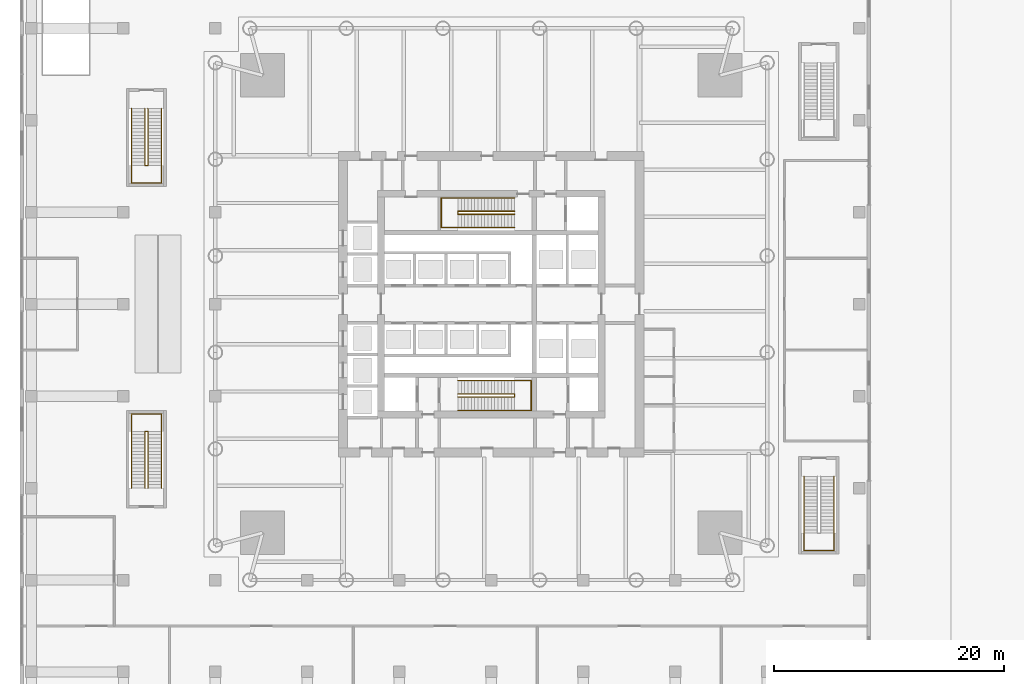
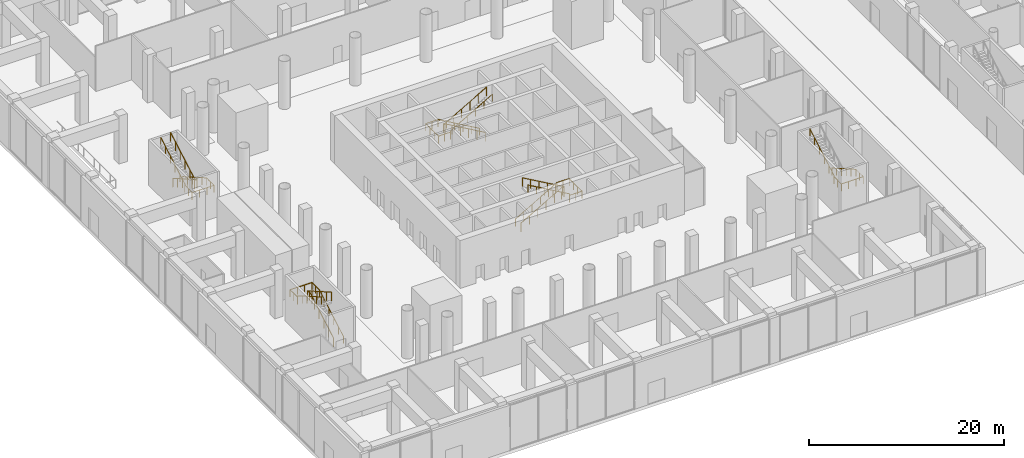
# One storey, part 36 of 39: 9 railings.
"""IFC4 building model written with IfcOpenShell, lengths in metres."""

from ifc_helpers import new_model, si_unit, direction, frame, origin, origin_2d, place, context, subcontext, project, spatial, circle, extrude, material, type_object, element, save


model = new_model("IFC4")

# Units and contexts
model_context = context("Model", 3, precision=1e-05, world=origin(), true_north=direction((0.0, 1.0)))
body_context = subcontext(model_context, "Body", "Model", "MODEL_VIEW")
ifc_project = project(units=[si_unit("LENGTHUNIT", "METRE"), si_unit("AREAUNIT", "SQUARE_METRE"), si_unit("VOLUMEUNIT", "CUBIC_METRE"), si_unit("PLANEANGLEUNIT", "RADIAN"), si_unit("MASSUNIT", "GRAM", prefix="KILO")], contexts=[model_context])

# Site, building, storey
site_placement = place(None, origin())
site = spatial("IfcSite", under=ifc_project, at=site_placement, CompositionType="ELEMENT")
building_placement = place(site_placement, origin())
building = spatial("IfcBuilding", under=site, at=building_placement, Name="Ostroluk Exchange", CompositionType="ELEMENT")
storey_placement = place(building_placement, origin())
storey = spatial("IfcBuildingStorey", under=building, at=storey_placement, Name="L00", CompositionType="ELEMENT", Elevation=0.0)

# Railings
ifc_material_1 = material(Name="Steel S355", Category="steel")
railing_type_1 = type_object("IfcRailingType", Name="Stair guard 1100", PredefinedType="GUARDRAIL", material=ifc_material_1)
railing_1_placement = place(storey_placement, frame((42.10009765625, 38.179931640625, 0.166748046875)))
element("IfcRailing", 1, at=railing_1_placement, inside=storey, type_object=railing_type_1, Name="Stair T1-S1 guard L00", PredefinedType="GUARDRAIL", context=body_context, shape_type="SweptSolid", body=[
    extrude(circle(Radius=0.02392578125, at=origin_2d()), frame((0.0, 0.0, 1.076171875), z_axis=(0.867017142139, 0.0, 0.498278311025), x_axis=(0.0, 1.0, 0.0)), (0.0, 0.0, 1.0), 5.68603515625),
    extrude(circle(Radius=0.02392578125, at=origin_2d()), frame((4.929931640625, 0.0, 3.9091796875), z_axis=(0.0, -1.0, 0.0), x_axis=(1.0, 0.0, 0.0)), (0.0, 0.0, 1.0), 0.260009765625),
    extrude(circle(Radius=0.02392578125, at=origin_2d()), frame((4.929931640625, -0.260009765625, 3.9091796875), z_axis=(0.0, 0.0, 1.0), x_axis=(1.0, 0.0, 0.0)), (0.0, 0.0, 1.0), 0.166748046875),
    extrude(circle(Radius=0.02392578125, at=origin_2d()), frame((4.929931640625, -0.260009765625, 4.076171875), z_axis=(-0.867017142139, 0.0, 0.498278311025), x_axis=(0.0, -1.0, 0.0)), (0.0, 0.0, 1.0), 5.68603515625),
    extrude(circle(Radius=0.02099609375, at=origin_2d()), origin(), (0.0, 0.0, 1.0), 1.052001953125),
    extrude(circle(Radius=0.02099609375, at=origin_2d()), frame((0.986083984375, 0.0, 0.566650390625)), (0.0, 0.0, 1.0), 1.052001953125),
    extrude(circle(Radius=0.02099609375, at=origin_2d()), frame((1.971923828125, 0.0, 1.13330078125)), (0.0, 0.0, 1.0), 1.052001953125),
    extrude(circle(Radius=0.02099609375, at=origin_2d()), frame((2.9580078125, 0.0, 1.699951171875)), (0.0, 0.0, 1.0), 1.052001953125),
    extrude(circle(Radius=0.02099609375, at=origin_2d()), frame((3.94384765625, 0.0, 2.2666015625)), (0.0, 0.0, 1.0), 1.052001953125),
    extrude(circle(Radius=0.02099609375, at=origin_2d()), frame((4.929931640625, 0.0, 2.833251953125)), (0.0, 0.0, 1.0), 1.052001953125),
    extrude(circle(Radius=0.02099609375, at=origin_2d()), frame((4.929931640625, -0.260009765625, 2.833251953125)), (0.0, 0.0, 1.0), 1.052001953125),
    extrude(circle(Radius=0.02099609375, at=origin_2d()), frame((4.929931640625, -0.260009765625, 3.0)), (0.0, 0.0, 1.0), 1.052001953125),
    extrude(circle(Radius=0.02099609375, at=origin_2d()), frame((3.94384765625, -0.260009765625, 3.566650390625)), (0.0, 0.0, 1.0), 1.052001953125),
    extrude(circle(Radius=0.02099609375, at=origin_2d()), frame((2.9580078125, -0.260009765625, 4.13330078125)), (0.0, 0.0, 1.0), 1.052001953125),
    extrude(circle(Radius=0.02099609375, at=origin_2d()), frame((1.971923828125, -0.260009765625, 4.699951171875)), (0.0, 0.0, 1.0), 1.052001953125),
    extrude(circle(Radius=0.02099609375, at=origin_2d()), frame((0.986083984375, -0.260009765625, 5.2666015625)), (0.0, 0.0, 1.0), 1.052001953125),
    extrude(circle(Radius=0.02099609375, at=origin_2d()), frame((0.0, -0.260009765625, 5.833251953125)), (0.0, 0.0, 1.0), 1.052001953125),
])
railing_2_placement = place(storey_placement, frame((47.030029296875, 54.080078125, 0.166748046875)))
element("IfcRailing", 2, at=railing_2_placement, inside=storey, type_object=railing_type_1, Name="Stair T1-S2 guard L00", PredefinedType="GUARDRAIL", context=body_context, shape_type="SweptSolid", body=[
    extrude(circle(Radius=0.02392578125, at=origin_2d()), frame((0.0, 0.0, 1.076171875), z_axis=(-0.867017142139, 0.0, 0.498278311025), x_axis=(0.0, -1.0, 0.0)), (0.0, 0.0, 1.0), 5.68603515625),
    extrude(circle(Radius=0.02392578125, at=origin_2d()), frame((-4.929931640625, 0.0, 3.9091796875), z_axis=(0.0, -1.0, 0.0), x_axis=(1.0, 0.0, 0.0)), (0.0, 0.0, 1.0), 0.260009765625),
    extrude(circle(Radius=0.02392578125, at=origin_2d()), frame((-4.929931640625, -0.260009765625, 3.9091796875), z_axis=(0.0, 0.0, 1.0), x_axis=(1.0, 0.0, 0.0)), (0.0, 0.0, 1.0), 0.166748046875),
    extrude(circle(Radius=0.02392578125, at=origin_2d()), frame((-4.929931640625, -0.260009765625, 4.076171875), z_axis=(0.867017142139, 0.0, 0.498278311025), x_axis=(0.0, 1.0, 0.0)), (0.0, 0.0, 1.0), 5.68603515625),
    extrude(circle(Radius=0.02099609375, at=origin_2d()), origin(), (0.0, 0.0, 1.0), 1.052001953125),
    extrude(circle(Radius=0.02099609375, at=origin_2d()), frame((-0.986083984375, 0.0, 0.566650390625)), (0.0, 0.0, 1.0), 1.052001953125),
    extrude(circle(Radius=0.02099609375, at=origin_2d()), frame((-1.971923828125, 0.0, 1.13330078125)), (0.0, 0.0, 1.0), 1.052001953125),
    extrude(circle(Radius=0.02099609375, at=origin_2d()), frame((-2.9580078125, 0.0, 1.699951171875)), (0.0, 0.0, 1.0), 1.052001953125),
    extrude(circle(Radius=0.02099609375, at=origin_2d()), frame((-3.94384765625, 0.0, 2.2666015625)), (0.0, 0.0, 1.0), 1.052001953125),
    extrude(circle(Radius=0.02099609375, at=origin_2d()), frame((-4.929931640625, 0.0, 2.833251953125)), (0.0, 0.0, 1.0), 1.052001953125),
    extrude(circle(Radius=0.02099609375, at=origin_2d()), frame((-4.929931640625, -0.260009765625, 2.833251953125)), (0.0, 0.0, 1.0), 1.052001953125),
    extrude(circle(Radius=0.02099609375, at=origin_2d()), frame((-4.929931640625, -0.260009765625, 3.0)), (0.0, 0.0, 1.0), 1.052001953125),
    extrude(circle(Radius=0.02099609375, at=origin_2d()), frame((-3.94384765625, -0.260009765625, 3.566650390625)), (0.0, 0.0, 1.0), 1.052001953125),
    extrude(circle(Radius=0.02099609375, at=origin_2d()), frame((-2.9580078125, -0.260009765625, 4.13330078125)), (0.0, 0.0, 1.0), 1.052001953125),
    extrude(circle(Radius=0.02099609375, at=origin_2d()), frame((-1.971923828125, -0.260009765625, 4.699951171875)), (0.0, 0.0, 1.0), 1.052001953125),
    extrude(circle(Radius=0.02099609375, at=origin_2d()), frame((-0.986083984375, -0.260009765625, 5.2666015625)), (0.0, 0.0, 1.0), 1.052001953125),
    extrude(circle(Radius=0.02099609375, at=origin_2d()), frame((0.0, -0.260009765625, 5.833251953125)), (0.0, 0.0, 1.0), 1.052001953125),
])
railing_3_placement = place(storey_placement, frame((15.1298828125, 30.0, 0.166748046875)))
element("IfcRailing", 3, at=railing_3_placement, inside=storey, type_object=railing_type_1, Name="Stair PS1 guard L00", PredefinedType="GUARDRAIL", context=body_context, shape_type="SweptSolid", body=[
    extrude(circle(Radius=0.02392578125, at=origin_2d()), frame((0.0, 0.0, 1.076171875), z_axis=(0.0, 0.867017142139, 0.498278311025), x_axis=(-1.0, 0.0, 0.0)), (0.0, 0.0, 1.0), 5.68603515625),
    extrude(circle(Radius=0.02392578125, at=origin_2d()), frame((0.0, 4.929931640625, 3.9091796875), z_axis=(-1.0, 0.0, 0.0), x_axis=(0.0, -1.0, 0.0)), (0.0, 0.0, 1.0), 0.259765625),
    extrude(circle(Radius=0.02392578125, at=origin_2d()), frame((-0.259765625, 4.929931640625, 3.9091796875), z_axis=(0.0, 0.0, 1.0), x_axis=(1.0, 0.0, 0.0)), (0.0, 0.0, 1.0), 0.166748046875),
    extrude(circle(Radius=0.02392578125, at=origin_2d()), frame((-0.259765625, 4.929931640625, 4.076171875), z_axis=(0.0, -0.867017142139, 0.498278311025), x_axis=(1.0, 0.0, 0.0)), (0.0, 0.0, 1.0), 5.68603515625),
    extrude(circle(Radius=0.02099609375, at=origin_2d()), origin(), (0.0, 0.0, 1.0), 1.052001953125),
    extrude(circle(Radius=0.02099609375, at=origin_2d()), frame((0.0, 0.986083984375, 0.566650390625)), (0.0, 0.0, 1.0), 1.052001953125),
    extrude(circle(Radius=0.02099609375, at=origin_2d()), frame((0.0, 1.971923828125, 1.13330078125)), (0.0, 0.0, 1.0), 1.052001953125),
    extrude(circle(Radius=0.02099609375, at=origin_2d()), frame((0.0, 2.9580078125, 1.699951171875)), (0.0, 0.0, 1.0), 1.052001953125),
    extrude(circle(Radius=0.02099609375, at=origin_2d()), frame((0.0, 3.94384765625, 2.2666015625)), (0.0, 0.0, 1.0), 1.052001953125),
    extrude(circle(Radius=0.02099609375, at=origin_2d()), frame((0.0, 4.929931640625, 2.833251953125)), (0.0, 0.0, 1.0), 1.052001953125),
    extrude(circle(Radius=0.02099609375, at=origin_2d()), frame((-0.259765625, 4.929931640625, 2.833251953125)), (0.0, 0.0, 1.0), 1.052001953125),
    extrude(circle(Radius=0.02099609375, at=origin_2d()), frame((-0.259765625, 4.929931640625, 3.0)), (0.0, 0.0, 1.0), 1.052001953125),
    extrude(circle(Radius=0.02099609375, at=origin_2d()), frame((-0.259765625, 3.94384765625, 3.566650390625)), (0.0, 0.0, 1.0), 1.052001953125),
    extrude(circle(Radius=0.02099609375, at=origin_2d()), frame((-0.259765625, 2.9580078125, 4.13330078125)), (0.0, 0.0, 1.0), 1.052001953125),
    extrude(circle(Radius=0.02099609375, at=origin_2d()), frame((-0.259765625, 1.971923828125, 4.699951171875)), (0.0, 0.0, 1.0), 1.052001953125),
    extrude(circle(Radius=0.02099609375, at=origin_2d()), frame((-0.259765625, 0.986083984375, 5.2666015625)), (0.0, 0.0, 1.0), 1.052001953125),
    extrude(circle(Radius=0.02099609375, at=origin_2d()), frame((-0.259765625, 0.0, 5.833251953125)), (0.0, 0.0, 1.0), 1.052001953125),
])
railing_4_placement = place(storey_placement, frame((15.1298828125, 63.0, 0.166748046875)))
element("IfcRailing", 4, at=railing_4_placement, inside=storey, type_object=railing_type_1, Name="Stair PS2 guard L00", PredefinedType="GUARDRAIL", context=body_context, shape_type="SweptSolid", body=[
    extrude(circle(Radius=0.02392578125, at=origin_2d()), frame((0.0, 0.0, 1.076171875), z_axis=(0.0, -0.867017142139, 0.498278311025), x_axis=(1.0, 0.0, 0.0)), (0.0, 0.0, 1.0), 5.68603515625),
    extrude(circle(Radius=0.02392578125, at=origin_2d()), frame((0.0, -4.929931640625, 3.9091796875), z_axis=(-1.0, 0.0, 0.0), x_axis=(0.0, -1.0, 0.0)), (0.0, 0.0, 1.0), 0.259765625),
    extrude(circle(Radius=0.02392578125, at=origin_2d()), frame((-0.259765625, -4.929931640625, 3.9091796875), z_axis=(0.0, 0.0, 1.0), x_axis=(1.0, 0.0, 0.0)), (0.0, 0.0, 1.0), 0.166748046875),
    extrude(circle(Radius=0.02392578125, at=origin_2d()), frame((-0.259765625, -4.929931640625, 4.076171875), z_axis=(0.0, 0.867017142139, 0.498278311025), x_axis=(-1.0, 0.0, 0.0)), (0.0, 0.0, 1.0), 5.68603515625),
    extrude(circle(Radius=0.02099609375, at=origin_2d()), origin(), (0.0, 0.0, 1.0), 1.052001953125),
    extrude(circle(Radius=0.02099609375, at=origin_2d()), frame((0.0, -0.986083984375, 0.566650390625)), (0.0, 0.0, 1.0), 1.052001953125),
    extrude(circle(Radius=0.02099609375, at=origin_2d()), frame((0.0, -1.971923828125, 1.13330078125)), (0.0, 0.0, 1.0), 1.052001953125),
    extrude(circle(Radius=0.02099609375, at=origin_2d()), frame((0.0, -2.9580078125, 1.699951171875)), (0.0, 0.0, 1.0), 1.052001953125),
    extrude(circle(Radius=0.02099609375, at=origin_2d()), frame((0.0, -3.94384765625, 2.2666015625)), (0.0, 0.0, 1.0), 1.052001953125),
    extrude(circle(Radius=0.02099609375, at=origin_2d()), frame((0.0, -4.929931640625, 2.833251953125)), (0.0, 0.0, 1.0), 1.052001953125),
    extrude(circle(Radius=0.02099609375, at=origin_2d()), frame((-0.259765625, -4.929931640625, 2.833251953125)), (0.0, 0.0, 1.0), 1.052001953125),
    extrude(circle(Radius=0.02099609375, at=origin_2d()), frame((-0.259765625, -4.929931640625, 3.0)), (0.0, 0.0, 1.0), 1.052001953125),
    extrude(circle(Radius=0.02099609375, at=origin_2d()), frame((-0.259765625, -3.94384765625, 3.566650390625)), (0.0, 0.0, 1.0), 1.052001953125),
    extrude(circle(Radius=0.02099609375, at=origin_2d()), frame((-0.259765625, -2.9580078125, 4.13330078125)), (0.0, 0.0, 1.0), 1.052001953125),
    extrude(circle(Radius=0.02099609375, at=origin_2d()), frame((-0.259765625, -1.971923828125, 4.699951171875)), (0.0, 0.0, 1.0), 1.052001953125),
    extrude(circle(Radius=0.02099609375, at=origin_2d()), frame((-0.259765625, -0.986083984375, 5.2666015625)), (0.0, 0.0, 1.0), 1.052001953125),
    extrude(circle(Radius=0.02099609375, at=origin_2d()), frame((-0.259765625, 0.0, 5.833251953125)), (0.0, 0.0, 1.0), 1.052001953125),
])
ifc_material_2 = material(Name="Stainless steel", Category="steel")
railing_type_2 = type_object("IfcRailingType", Name="Stair handrail 900", PredefinedType="HANDRAIL", material=ifc_material_2)
railing_5_placement = place(storey_placement, frame((42.10009765625, 39.35009765625, 0.166748046875)))
element("IfcRailing", 5, at=railing_5_placement, inside=storey, type_object=railing_type_2, Name="Stair T1-S1 handrail L00", PredefinedType="HANDRAIL", context=body_context, shape_type="SweptSolid", body=[
    extrude(circle(Radius=0.02392578125, at=origin_2d()), frame((0.0, 0.0, 0.8759765625), z_axis=(0.867017142139, 0.0, 0.498278311025), x_axis=(0.0, 1.0, 0.0)), (0.0, 0.0, 1.0), 5.68603515625),
    extrude(circle(Radius=0.02392578125, at=origin_2d()), frame((4.929931640625, 0.0, 3.708984375), z_axis=(1.0, 0.0, 0.0), x_axis=(0.0, 1.0, 0.0)), (0.0, 0.0, 1.0), 1.449951171875),
    extrude(circle(Radius=0.02392578125, at=origin_2d()), frame((6.3798828125, 0.0, 3.708984375), z_axis=(0.0, -1.0, 0.0), x_axis=(1.0, 0.0, 0.0)), (0.0, 0.0, 1.0), 2.60009765625),
    extrude(circle(Radius=0.02392578125, at=origin_2d()), frame((6.3798828125, -2.60009765625, 3.708984375), z_axis=(-1.0, 0.0, 0.0), x_axis=(0.0, -1.0, 0.0)), (0.0, 0.0, 1.0), 1.449951171875),
    extrude(circle(Radius=0.02392578125, at=origin_2d()), frame((4.929931640625, -2.60009765625, 3.708984375), z_axis=(0.0, 0.0, 1.0), x_axis=(1.0, 0.0, 0.0)), (0.0, 0.0, 1.0), 0.166748046875),
    extrude(circle(Radius=0.02392578125, at=origin_2d()), frame((4.929931640625, -2.60009765625, 3.8759765625), z_axis=(-0.867017142139, 0.0, 0.498278311025), x_axis=(0.0, -1.0, 0.0)), (0.0, 0.0, 1.0), 5.68603515625),
    extrude(circle(Radius=0.02099609375, at=origin_2d()), origin(), (0.0, 0.0, 1.0), 0.851806640625),
    extrude(circle(Radius=0.02099609375, at=origin_2d()), frame((0.986083984375, 0.0, 0.566650390625)), (0.0, 0.0, 1.0), 0.851806640625),
    extrude(circle(Radius=0.02099609375, at=origin_2d()), frame((1.971923828125, 0.0, 1.13330078125)), (0.0, 0.0, 1.0), 0.851806640625),
    extrude(circle(Radius=0.02099609375, at=origin_2d()), frame((2.9580078125, 0.0, 1.699951171875)), (0.0, 0.0, 1.0), 0.851806640625),
    extrude(circle(Radius=0.02099609375, at=origin_2d()), frame((3.94384765625, 0.0, 2.2666015625)), (0.0, 0.0, 1.0), 0.851806640625),
    extrude(circle(Radius=0.02099609375, at=origin_2d()), frame((4.929931640625, 0.0, 2.833251953125)), (0.0, 0.0, 1.0), 0.851806640625),
    extrude(circle(Radius=0.02099609375, at=origin_2d()), frame((5.65478515625, 0.0, 2.833251953125)), (0.0, 0.0, 1.0), 0.851806640625),
    extrude(circle(Radius=0.02099609375, at=origin_2d()), frame((6.3798828125, 0.0, 2.833251953125)), (0.0, 0.0, 1.0), 0.851806640625),
    extrude(circle(Radius=0.02099609375, at=origin_2d()), frame((6.3798828125, -0.86669921875, 2.833251953125)), (0.0, 0.0, 1.0), 0.851806640625),
    extrude(circle(Radius=0.02099609375, at=origin_2d()), frame((6.3798828125, -1.7333984375, 2.833251953125)), (0.0, 0.0, 1.0), 0.851806640625),
    extrude(circle(Radius=0.02099609375, at=origin_2d()), frame((6.3798828125, -2.60009765625, 2.833251953125)), (0.0, 0.0, 1.0), 0.851806640625),
    extrude(circle(Radius=0.02099609375, at=origin_2d()), frame((5.65478515625, -2.60009765625, 2.833251953125)), (0.0, 0.0, 1.0), 0.851806640625),
    extrude(circle(Radius=0.02099609375, at=origin_2d()), frame((4.929931640625, -2.60009765625, 2.833251953125)), (0.0, 0.0, 1.0), 0.851806640625),
    extrude(circle(Radius=0.02099609375, at=origin_2d()), frame((4.929931640625, -2.60009765625, 3.0)), (0.0, 0.0, 1.0), 0.851806640625),
    extrude(circle(Radius=0.02099609375, at=origin_2d()), frame((3.94384765625, -2.60009765625, 3.566650390625)), (0.0, 0.0, 1.0), 0.851806640625),
    extrude(circle(Radius=0.02099609375, at=origin_2d()), frame((2.9580078125, -2.60009765625, 4.13330078125)), (0.0, 0.0, 1.0), 0.851806640625),
    extrude(circle(Radius=0.02099609375, at=origin_2d()), frame((1.971923828125, -2.60009765625, 4.699951171875)), (0.0, 0.0, 1.0), 0.851806640625),
    extrude(circle(Radius=0.02099609375, at=origin_2d()), frame((0.986083984375, -2.60009765625, 5.2666015625)), (0.0, 0.0, 1.0), 0.851806640625),
    extrude(circle(Radius=0.02099609375, at=origin_2d()), frame((0.0, -2.60009765625, 5.833251953125)), (0.0, 0.0, 1.0), 0.851806640625),
])
railing_6_placement = place(storey_placement, frame((47.030029296875, 55.25, 0.166748046875)))
element("IfcRailing", 6, at=railing_6_placement, inside=storey, type_object=railing_type_2, Name="Stair T1-S2 handrail L00", PredefinedType="HANDRAIL", context=body_context, shape_type="SweptSolid", body=[
    extrude(circle(Radius=0.02392578125, at=origin_2d()), frame((0.0, 0.0, 0.8759765625), z_axis=(-0.867017142139, 0.0, 0.498278311025), x_axis=(0.0, -1.0, 0.0)), (0.0, 0.0, 1.0), 5.68603515625),
    extrude(circle(Radius=0.02392578125, at=origin_2d()), frame((-4.929931640625, 0.0, 3.708984375), z_axis=(-1.0, 0.0, 0.0), x_axis=(0.0, -1.0, 0.0)), (0.0, 0.0, 1.0), 1.4501953125),
    extrude(circle(Radius=0.02392578125, at=origin_2d()), frame((-6.380126953125, 0.0, 3.708984375), z_axis=(0.0, -1.0, 0.0), x_axis=(1.0, 0.0, 0.0)), (0.0, 0.0, 1.0), 2.60009765625),
    extrude(circle(Radius=0.02392578125, at=origin_2d()), frame((-6.380126953125, -2.60009765625, 3.708984375), z_axis=(1.0, 0.0, 0.0), x_axis=(0.0, 1.0, 0.0)), (0.0, 0.0, 1.0), 1.4501953125),
    extrude(circle(Radius=0.02392578125, at=origin_2d()), frame((-4.929931640625, -2.60009765625, 3.708984375), z_axis=(0.0, 0.0, 1.0), x_axis=(1.0, 0.0, 0.0)), (0.0, 0.0, 1.0), 0.166748046875),
    extrude(circle(Radius=0.02392578125, at=origin_2d()), frame((-4.929931640625, -2.60009765625, 3.8759765625), z_axis=(0.867017142139, 0.0, 0.498278311025), x_axis=(0.0, 1.0, 0.0)), (0.0, 0.0, 1.0), 5.68603515625),
    extrude(circle(Radius=0.02099609375, at=origin_2d()), origin(), (0.0, 0.0, 1.0), 0.851806640625),
    extrude(circle(Radius=0.02099609375, at=origin_2d()), frame((-0.986083984375, 0.0, 0.566650390625)), (0.0, 0.0, 1.0), 0.851806640625),
    extrude(circle(Radius=0.02099609375, at=origin_2d()), frame((-1.971923828125, 0.0, 1.13330078125)), (0.0, 0.0, 1.0), 0.851806640625),
    extrude(circle(Radius=0.02099609375, at=origin_2d()), frame((-2.9580078125, 0.0, 1.699951171875)), (0.0, 0.0, 1.0), 0.851806640625),
    extrude(circle(Radius=0.02099609375, at=origin_2d()), frame((-3.94384765625, 0.0, 2.2666015625)), (0.0, 0.0, 1.0), 0.851806640625),
    extrude(circle(Radius=0.02099609375, at=origin_2d()), frame((-4.929931640625, 0.0, 2.833251953125)), (0.0, 0.0, 1.0), 0.851806640625),
    extrude(circle(Radius=0.02099609375, at=origin_2d()), frame((-5.655029296875, 0.0, 2.833251953125)), (0.0, 0.0, 1.0), 0.851806640625),
    extrude(circle(Radius=0.02099609375, at=origin_2d()), frame((-6.380126953125, 0.0, 2.833251953125)), (0.0, 0.0, 1.0), 0.851806640625),
    extrude(circle(Radius=0.02099609375, at=origin_2d()), frame((-6.380126953125, -0.86669921875, 2.833251953125)), (0.0, 0.0, 1.0), 0.851806640625),
    extrude(circle(Radius=0.02099609375, at=origin_2d()), frame((-6.380126953125, -1.7333984375, 2.833251953125)), (0.0, 0.0, 1.0), 0.851806640625),
    extrude(circle(Radius=0.02099609375, at=origin_2d()), frame((-6.380126953125, -2.60009765625, 2.833251953125)), (0.0, 0.0, 1.0), 0.851806640625),
    extrude(circle(Radius=0.02099609375, at=origin_2d()), frame((-5.655029296875, -2.60009765625, 2.833251953125)), (0.0, 0.0, 1.0), 0.851806640625),
    extrude(circle(Radius=0.02099609375, at=origin_2d()), frame((-4.929931640625, -2.60009765625, 2.833251953125)), (0.0, 0.0, 1.0), 0.851806640625),
    extrude(circle(Radius=0.02099609375, at=origin_2d()), frame((-4.929931640625, -2.60009765625, 3.0)), (0.0, 0.0, 1.0), 0.851806640625),
    extrude(circle(Radius=0.02099609375, at=origin_2d()), frame((-3.94384765625, -2.60009765625, 3.566650390625)), (0.0, 0.0, 1.0), 0.851806640625),
    extrude(circle(Radius=0.02099609375, at=origin_2d()), frame((-2.9580078125, -2.60009765625, 4.13330078125)), (0.0, 0.0, 1.0), 0.851806640625),
    extrude(circle(Radius=0.02099609375, at=origin_2d()), frame((-1.971923828125, -2.60009765625, 4.699951171875)), (0.0, 0.0, 1.0), 0.851806640625),
    extrude(circle(Radius=0.02099609375, at=origin_2d()), frame((-0.986083984375, -2.60009765625, 5.2666015625)), (0.0, 0.0, 1.0), 0.851806640625),
    extrude(circle(Radius=0.02099609375, at=origin_2d()), frame((0.0, -2.60009765625, 5.833251953125)), (0.0, 0.0, 1.0), 0.851806640625),
])
railing_7_placement = place(storey_placement, frame((16.300048828125, 30.0, 0.166748046875)))
element("IfcRailing", 7, at=railing_7_placement, inside=storey, type_object=railing_type_2, Name="Stair PS1 handrail L00", PredefinedType="HANDRAIL", context=body_context, shape_type="SweptSolid", body=[
    extrude(circle(Radius=0.02392578125, at=origin_2d()), frame((0.0, 0.0, 0.8759765625), z_axis=(0.0, 0.867017142139, 0.498278311025), x_axis=(-1.0, 0.0, 0.0)), (0.0, 0.0, 1.0), 5.68603515625),
    extrude(circle(Radius=0.02392578125, at=origin_2d()), frame((0.0, 4.929931640625, 3.708984375), z_axis=(0.0, 1.0, 0.0), x_axis=(-1.0, 0.0, 0.0)), (0.0, 0.0, 1.0), 1.52001953125),
    extrude(circle(Radius=0.02392578125, at=origin_2d()), frame((0.0, 6.449951171875, 3.708984375), z_axis=(-1.0, 0.0, 0.0), x_axis=(0.0, -1.0, 0.0)), (0.0, 0.0, 1.0), 2.60009765625),
    extrude(circle(Radius=0.02392578125, at=origin_2d()), frame((-2.60009765625, 6.449951171875, 3.708984375), z_axis=(0.0, -1.0, 0.0), x_axis=(1.0, 0.0, 0.0)), (0.0, 0.0, 1.0), 1.52001953125),
    extrude(circle(Radius=0.02392578125, at=origin_2d()), frame((-2.60009765625, 4.929931640625, 3.708984375), z_axis=(0.0, 0.0, 1.0), x_axis=(1.0, 0.0, 0.0)), (0.0, 0.0, 1.0), 0.166748046875),
    extrude(circle(Radius=0.02392578125, at=origin_2d()), frame((-2.60009765625, 4.929931640625, 3.8759765625), z_axis=(0.0, -0.867017142139, 0.498278311025), x_axis=(1.0, 0.0, 0.0)), (0.0, 0.0, 1.0), 5.68603515625),
    extrude(circle(Radius=0.02099609375, at=origin_2d()), origin(), (0.0, 0.0, 1.0), 0.851806640625),
    extrude(circle(Radius=0.02099609375, at=origin_2d()), frame((0.0, 0.986083984375, 0.566650390625)), (0.0, 0.0, 1.0), 0.851806640625),
    extrude(circle(Radius=0.02099609375, at=origin_2d()), frame((0.0, 1.971923828125, 1.13330078125)), (0.0, 0.0, 1.0), 0.851806640625),
    extrude(circle(Radius=0.02099609375, at=origin_2d()), frame((0.0, 2.9580078125, 1.699951171875)), (0.0, 0.0, 1.0), 0.851806640625),
    extrude(circle(Radius=0.02099609375, at=origin_2d()), frame((0.0, 3.94384765625, 2.2666015625)), (0.0, 0.0, 1.0), 0.851806640625),
    extrude(circle(Radius=0.02099609375, at=origin_2d()), frame((0.0, 4.929931640625, 2.833251953125)), (0.0, 0.0, 1.0), 0.851806640625),
    extrude(circle(Radius=0.02099609375, at=origin_2d()), frame((0.0, 5.68994140625, 2.833251953125)), (0.0, 0.0, 1.0), 0.851806640625),
    extrude(circle(Radius=0.02099609375, at=origin_2d()), frame((0.0, 6.449951171875, 2.833251953125)), (0.0, 0.0, 1.0), 0.851806640625),
    extrude(circle(Radius=0.02099609375, at=origin_2d()), frame((-0.86669921875, 6.449951171875, 2.833251953125)), (0.0, 0.0, 1.0), 0.851806640625),
    extrude(circle(Radius=0.02099609375, at=origin_2d()), frame((-1.7333984375, 6.449951171875, 2.833251953125)), (0.0, 0.0, 1.0), 0.851806640625),
    extrude(circle(Radius=0.02099609375, at=origin_2d()), frame((-2.60009765625, 6.449951171875, 2.833251953125)), (0.0, 0.0, 1.0), 0.851806640625),
    extrude(circle(Radius=0.02099609375, at=origin_2d()), frame((-2.60009765625, 5.68994140625, 2.833251953125)), (0.0, 0.0, 1.0), 0.851806640625),
    extrude(circle(Radius=0.02099609375, at=origin_2d()), frame((-2.60009765625, 4.929931640625, 2.833251953125)), (0.0, 0.0, 1.0), 0.851806640625),
    extrude(circle(Radius=0.02099609375, at=origin_2d()), frame((-2.60009765625, 4.929931640625, 3.0)), (0.0, 0.0, 1.0), 0.851806640625),
    extrude(circle(Radius=0.02099609375, at=origin_2d()), frame((-2.60009765625, 3.94384765625, 3.566650390625)), (0.0, 0.0, 1.0), 0.851806640625),
    extrude(circle(Radius=0.02099609375, at=origin_2d()), frame((-2.60009765625, 2.9580078125, 4.13330078125)), (0.0, 0.0, 1.0), 0.851806640625),
    extrude(circle(Radius=0.02099609375, at=origin_2d()), frame((-2.60009765625, 1.971923828125, 4.699951171875)), (0.0, 0.0, 1.0), 0.851806640625),
    extrude(circle(Radius=0.02099609375, at=origin_2d()), frame((-2.60009765625, 0.986083984375, 5.2666015625)), (0.0, 0.0, 1.0), 0.851806640625),
    extrude(circle(Radius=0.02099609375, at=origin_2d()), frame((-2.60009765625, 0.0, 5.833251953125)), (0.0, 0.0, 1.0), 0.851806640625),
])
railing_8_placement = place(storey_placement, frame((16.300048828125, 63.0, 0.166748046875)))
element("IfcRailing", 8, at=railing_8_placement, inside=storey, type_object=railing_type_2, Name="Stair PS2 handrail L00", PredefinedType="HANDRAIL", context=body_context, shape_type="SweptSolid", body=[
    extrude(circle(Radius=0.02392578125, at=origin_2d()), frame((0.0, 0.0, 0.8759765625), z_axis=(0.0, -0.867017142139, 0.498278311025), x_axis=(1.0, 0.0, 0.0)), (0.0, 0.0, 1.0), 5.68603515625),
    extrude(circle(Radius=0.02392578125, at=origin_2d()), frame((0.0, -4.929931640625, 3.708984375), z_axis=(0.0, -1.0, 0.0), x_axis=(1.0, 0.0, 0.0)), (0.0, 0.0, 1.0), 1.52001953125),
    extrude(circle(Radius=0.02392578125, at=origin_2d()), frame((0.0, -6.449951171875, 3.708984375), z_axis=(-1.0, 0.0, 0.0), x_axis=(0.0, -1.0, 0.0)), (0.0, 0.0, 1.0), 2.60009765625),
    extrude(circle(Radius=0.02392578125, at=origin_2d()), frame((-2.60009765625, -6.449951171875, 3.708984375), z_axis=(0.0, 1.0, 0.0), x_axis=(-1.0, 0.0, 0.0)), (0.0, 0.0, 1.0), 1.52001953125),
    extrude(circle(Radius=0.02392578125, at=origin_2d()), frame((-2.60009765625, -4.929931640625, 3.708984375), z_axis=(0.0, 0.0, 1.0), x_axis=(1.0, 0.0, 0.0)), (0.0, 0.0, 1.0), 0.166748046875),
    extrude(circle(Radius=0.02392578125, at=origin_2d()), frame((-2.60009765625, -4.929931640625, 3.8759765625), z_axis=(0.0, 0.867017142139, 0.498278311025), x_axis=(-1.0, 0.0, 0.0)), (0.0, 0.0, 1.0), 5.68603515625),
    extrude(circle(Radius=0.02099609375, at=origin_2d()), origin(), (0.0, 0.0, 1.0), 0.851806640625),
    extrude(circle(Radius=0.02099609375, at=origin_2d()), frame((0.0, -0.986083984375, 0.566650390625)), (0.0, 0.0, 1.0), 0.851806640625),
    extrude(circle(Radius=0.02099609375, at=origin_2d()), frame((0.0, -1.971923828125, 1.13330078125)), (0.0, 0.0, 1.0), 0.851806640625),
    extrude(circle(Radius=0.02099609375, at=origin_2d()), frame((0.0, -2.9580078125, 1.699951171875)), (0.0, 0.0, 1.0), 0.851806640625),
    extrude(circle(Radius=0.02099609375, at=origin_2d()), frame((0.0, -3.94384765625, 2.2666015625)), (0.0, 0.0, 1.0), 0.851806640625),
    extrude(circle(Radius=0.02099609375, at=origin_2d()), frame((0.0, -4.929931640625, 2.833251953125)), (0.0, 0.0, 1.0), 0.851806640625),
    extrude(circle(Radius=0.02099609375, at=origin_2d()), frame((0.0, -5.68994140625, 2.833251953125)), (0.0, 0.0, 1.0), 0.851806640625),
    extrude(circle(Radius=0.02099609375, at=origin_2d()), frame((0.0, -6.449951171875, 2.833251953125)), (0.0, 0.0, 1.0), 0.851806640625),
    extrude(circle(Radius=0.02099609375, at=origin_2d()), frame((-0.86669921875, -6.449951171875, 2.833251953125)), (0.0, 0.0, 1.0), 0.851806640625),
    extrude(circle(Radius=0.02099609375, at=origin_2d()), frame((-1.7333984375, -6.449951171875, 2.833251953125)), (0.0, 0.0, 1.0), 0.851806640625),
    extrude(circle(Radius=0.02099609375, at=origin_2d()), frame((-2.60009765625, -6.449951171875, 2.833251953125)), (0.0, 0.0, 1.0), 0.851806640625),
    extrude(circle(Radius=0.02099609375, at=origin_2d()), frame((-2.60009765625, -5.68994140625, 2.833251953125)), (0.0, 0.0, 1.0), 0.851806640625),
    extrude(circle(Radius=0.02099609375, at=origin_2d()), frame((-2.60009765625, -4.929931640625, 2.833251953125)), (0.0, 0.0, 1.0), 0.851806640625),
    extrude(circle(Radius=0.02099609375, at=origin_2d()), frame((-2.60009765625, -4.929931640625, 3.0)), (0.0, 0.0, 1.0), 0.851806640625),
    extrude(circle(Radius=0.02099609375, at=origin_2d()), frame((-2.60009765625, -3.94384765625, 3.566650390625)), (0.0, 0.0, 1.0), 0.851806640625),
    extrude(circle(Radius=0.02099609375, at=origin_2d()), frame((-2.60009765625, -2.9580078125, 4.13330078125)), (0.0, 0.0, 1.0), 0.851806640625),
    extrude(circle(Radius=0.02099609375, at=origin_2d()), frame((-2.60009765625, -1.971923828125, 4.699951171875)), (0.0, 0.0, 1.0), 0.851806640625),
    extrude(circle(Radius=0.02099609375, at=origin_2d()), frame((-2.60009765625, -0.986083984375, 5.2666015625)), (0.0, 0.0, 1.0), 0.851806640625),
    extrude(circle(Radius=0.02099609375, at=origin_2d()), frame((-2.60009765625, 0.0, 5.833251953125)), (0.0, 0.0, 1.0), 0.851806640625),
])
railing_9_placement = place(storey_placement, frame((74.800048828125, 31.0, 0.166748046875)))
element("IfcRailing", 9, at=railing_9_placement, inside=storey, type_object=railing_type_2, Name="Stair PS3 handrail L00", PredefinedType="HANDRAIL", context=body_context, shape_type="SweptSolid", body=[
    extrude(circle(Radius=0.02392578125, at=origin_2d()), frame((0.0, 0.0, 0.8759765625), z_axis=(0.0, -0.867017142139, 0.498278311025), x_axis=(1.0, 0.0, 0.0)), (0.0, 0.0, 1.0), 5.68603515625),
    extrude(circle(Radius=0.02392578125, at=origin_2d()), frame((0.0, -4.929931640625, 3.708984375), z_axis=(0.0, -1.0, 0.0), x_axis=(1.0, 0.0, 0.0)), (0.0, 0.0, 1.0), 1.52001953125),
    extrude(circle(Radius=0.02392578125, at=origin_2d()), frame((0.0, -6.449951171875, 3.708984375), z_axis=(-1.0, 0.0, 0.0), x_axis=(0.0, -1.0, 0.0)), (0.0, 0.0, 1.0), 2.60009765625),
    extrude(circle(Radius=0.02392578125, at=origin_2d()), frame((-2.60009765625, -6.449951171875, 3.708984375), z_axis=(0.0, 1.0, 0.0), x_axis=(-1.0, 0.0, 0.0)), (0.0, 0.0, 1.0), 1.52001953125),
    extrude(circle(Radius=0.02392578125, at=origin_2d()), frame((-2.60009765625, -4.929931640625, 3.708984375), z_axis=(0.0, 0.0, 1.0), x_axis=(1.0, 0.0, 0.0)), (0.0, 0.0, 1.0), 0.166748046875),
    extrude(circle(Radius=0.02392578125, at=origin_2d()), frame((-2.60009765625, -4.929931640625, 3.8759765625), z_axis=(0.0, 0.867017142139, 0.498278311025), x_axis=(-1.0, 0.0, 0.0)), (0.0, 0.0, 1.0), 5.68603515625),
    extrude(circle(Radius=0.02099609375, at=origin_2d()), origin(), (0.0, 0.0, 1.0), 0.851806640625),
    extrude(circle(Radius=0.02099609375, at=origin_2d()), frame((0.0, -0.986083984375, 0.566650390625)), (0.0, 0.0, 1.0), 0.851806640625),
    extrude(circle(Radius=0.02099609375, at=origin_2d()), frame((0.0, -1.971923828125, 1.13330078125)), (0.0, 0.0, 1.0), 0.851806640625),
    extrude(circle(Radius=0.02099609375, at=origin_2d()), frame((0.0, -2.9580078125, 1.699951171875)), (0.0, 0.0, 1.0), 0.851806640625),
    extrude(circle(Radius=0.02099609375, at=origin_2d()), frame((0.0, -3.94384765625, 2.2666015625)), (0.0, 0.0, 1.0), 0.851806640625),
    extrude(circle(Radius=0.02099609375, at=origin_2d()), frame((0.0, -4.929931640625, 2.833251953125)), (0.0, 0.0, 1.0), 0.851806640625),
    extrude(circle(Radius=0.02099609375, at=origin_2d()), frame((0.0, -5.68994140625, 2.833251953125)), (0.0, 0.0, 1.0), 0.851806640625),
    extrude(circle(Radius=0.02099609375, at=origin_2d()), frame((0.0, -6.449951171875, 2.833251953125)), (0.0, 0.0, 1.0), 0.851806640625),
    extrude(circle(Radius=0.02099609375, at=origin_2d()), frame((-0.86669921875, -6.449951171875, 2.833251953125)), (0.0, 0.0, 1.0), 0.851806640625),
    extrude(circle(Radius=0.02099609375, at=origin_2d()), frame((-1.7333984375, -6.449951171875, 2.833251953125)), (0.0, 0.0, 1.0), 0.851806640625),
    extrude(circle(Radius=0.02099609375, at=origin_2d()), frame((-2.60009765625, -6.449951171875, 2.833251953125)), (0.0, 0.0, 1.0), 0.851806640625),
    extrude(circle(Radius=0.02099609375, at=origin_2d()), frame((-2.60009765625, -5.68994140625, 2.833251953125)), (0.0, 0.0, 1.0), 0.851806640625),
    extrude(circle(Radius=0.02099609375, at=origin_2d()), frame((-2.60009765625, -4.929931640625, 2.833251953125)), (0.0, 0.0, 1.0), 0.851806640625),
    extrude(circle(Radius=0.02099609375, at=origin_2d()), frame((-2.60009765625, -4.929931640625, 3.0)), (0.0, 0.0, 1.0), 0.851806640625),
    extrude(circle(Radius=0.02099609375, at=origin_2d()), frame((-2.60009765625, -3.94384765625, 3.566650390625)), (0.0, 0.0, 1.0), 0.851806640625),
    extrude(circle(Radius=0.02099609375, at=origin_2d()), frame((-2.60009765625, -2.9580078125, 4.13330078125)), (0.0, 0.0, 1.0), 0.851806640625),
    extrude(circle(Radius=0.02099609375, at=origin_2d()), frame((-2.60009765625, -1.971923828125, 4.699951171875)), (0.0, 0.0, 1.0), 0.851806640625),
    extrude(circle(Radius=0.02099609375, at=origin_2d()), frame((-2.60009765625, -0.986083984375, 5.2666015625)), (0.0, 0.0, 1.0), 0.851806640625),
    extrude(circle(Radius=0.02099609375, at=origin_2d()), frame((-2.60009765625, 0.0, 5.833251953125)), (0.0, 0.0, 1.0), 0.851806640625),
])

save(model, "model.ifc")
